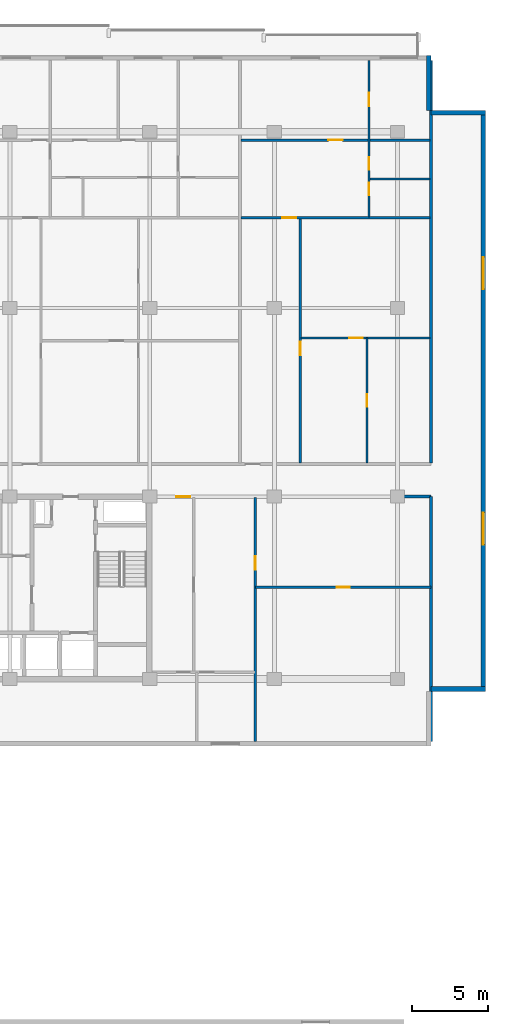
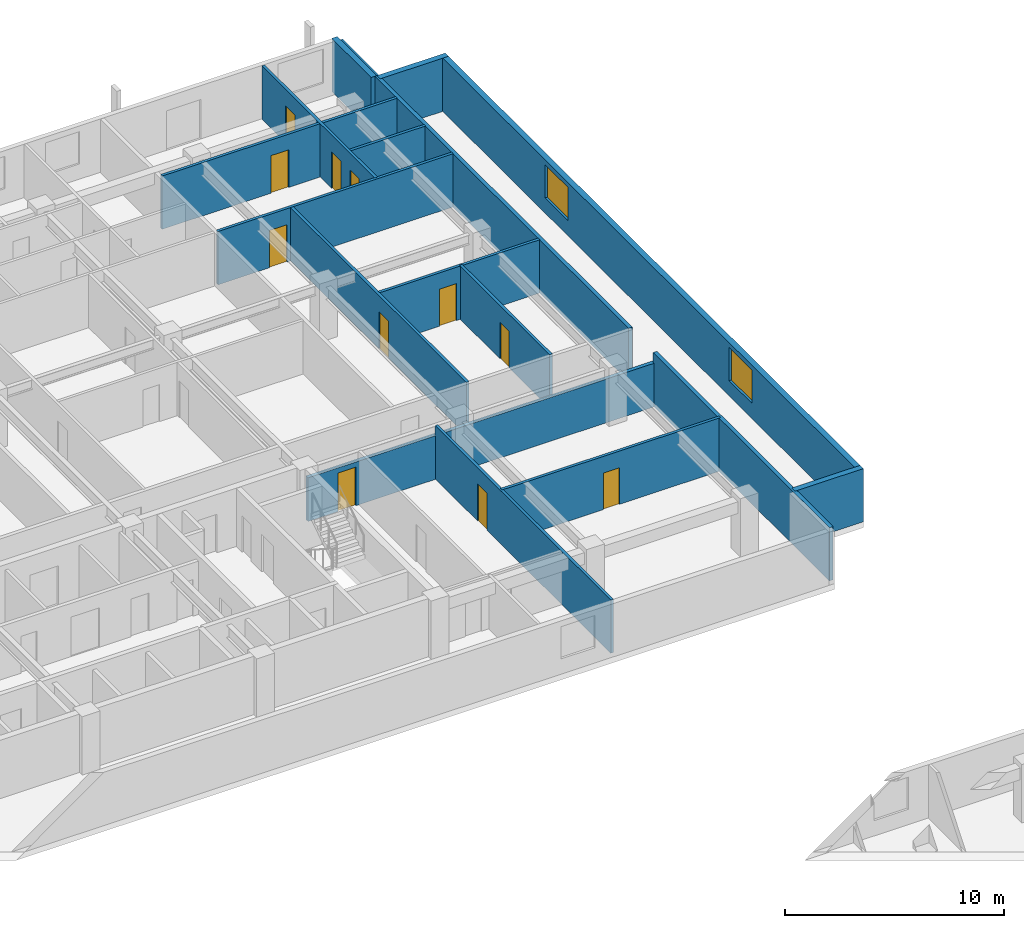
# One storey, part 16 of 22: 16 walls, 11 doors, 2 windows, 13 openings.
"""IFC4 building model written with IfcOpenShell, lengths in metres."""

from ifc_helpers import new_model, si_unit, direction, frame, frame_2d, origin, place, context, subcontext, project, spatial, rectangle, extrude, material, layer, layer_set, type_object, element, fill, save


model = new_model("IFC4")

# Units and contexts
model_context = context("Model", 3, precision=1e-05, world=origin(), true_north=direction((0.0, 1.0)))
body_context = subcontext(model_context, "Body", "Model", "MODEL_VIEW")
ifc_project = project(units=[si_unit("LENGTHUNIT", "METRE"), si_unit("AREAUNIT", "SQUARE_METRE"), si_unit("VOLUMEUNIT", "CUBIC_METRE"), si_unit("PLANEANGLEUNIT", "RADIAN"), si_unit("MASSUNIT", "GRAM", prefix="KILO")], contexts=[model_context])

# Site, building, storey
site_placement = place(None, origin())
site = spatial("IfcSite", under=ifc_project, at=site_placement, CompositionType="ELEMENT")
building_placement = place(site_placement, origin())
building = spatial("IfcBuilding", under=site, at=building_placement, Name="Korimba Cascade Residences", CompositionType="ELEMENT")
storey_placement = place(building_placement, frame((0.0, 0.0, 80.800048828125)))
storey = spatial("IfcBuildingStorey", under=building, at=storey_placement, Name="L22", CompositionType="ELEMENT", Elevation=80.800048828125)

# Wall
ifc_material_1 = material(Name="Precast concrete C40/50", Category="concrete")
ifc_layer_1 = layer(ifc_material_1, 0.300048828125)
ifc_layer_set_1 = layer_set([ifc_layer_1], Name="Precast concrete C40/50")
wall_type_1 = type_object("IfcWallType", Name="EW-STONE-300", PredefinedType="STANDARD", material=ifc_layer_set_1)
wall_1_placement = place(storey_placement, frame((130.60009765625, 54.550048828125, 0.0), z_axis=(0.0, 0.0, 1.0), x_axis=(1.0, 0.0, 0.0)))
element("IfcWall", 1, at=wall_1_placement, inside=storey, type_object=wall_type_1, Name="L22 T1 Perimeter Stone Wall E02", PredefinedType="STANDARD", context=body_context, shape_type="SweptSolid", body=[
    extrude(rectangle(XDim=3.599853515625, YDim=0.300048828125, at=frame_2d((1.7998046875, 0.0))), origin(), (0.0, 0.0, 1.0), 2.969970703125),
])

# Wall, openings, windows
wall_2_placement = place(storey_placement, frame((134.050048828125, 54.39990234375, 0.0), z_axis=(0.0, 0.0, 1.0), x_axis=(0.0, 1.0, 0.0)))
wall_2 = element("IfcWall", 2, at=wall_2_placement, inside=storey, type_object=wall_type_1, Name="L22 T1 Perimeter Stone Wall E03", PredefinedType="STANDARD", context=body_context, shape_type="SweptSolid", body=[
    extrude(rectangle(XDim=38.2001953125, YDim=0.300048828125, at=frame_2d((19.10009765625, 0.0))), origin(), (0.0, 0.0, 1.0), 2.969970703125),
])
opening_1_placement = place(wall_2_placement, frame((9.64599609375, 0.0, 0.85009765625)))
opening_1 = element("IfcOpeningElement", 3, at=opening_1_placement, cuts=wall_2, Name="Opening W-03", PredefinedType="OPENING", context=body_context, shape_type="SweptSolid", body=[
    extrude(rectangle(XDim=2.10009765625, YDim=1.85009765625, at=frame_2d((1.050048828125, 0.925048828125))), frame((0.0, 0.16015625, 0.0), z_axis=(0.0, -1.0, 0.0), x_axis=(1.0, 0.0, 0.0)), (0.0, 0.0, 1.0), 0.320068359375),
])
opening_2_placement = place(wall_2_placement, frame((26.4541015625, 0.0, 0.85009765625)))
opening_2 = element("IfcOpeningElement", 4, at=opening_2_placement, cuts=wall_2, Name="Opening W-03", PredefinedType="OPENING", context=body_context, shape_type="SweptSolid", body=[
    extrude(rectangle(XDim=2.10009765625, YDim=1.85009765625, at=frame_2d((1.050048828125, 0.925048828125))), frame((0.0, 0.16015625, 0.0), z_axis=(0.0, -1.0, 0.0), x_axis=(1.0, 0.0, 0.0)), (0.0, 0.0, 1.0), 0.320068359375),
])
ifc_material_2 = material(Name="Double-Glazed Aluminium Window", Category="aluminium")
window_type = type_object("IfcWindowType", Name="WIN-CRN-2100", PartitioningType="DOUBLE_PANEL_HORIZONTAL", PredefinedType="WINDOW", material=ifc_material_2)
window_1_placement = place(opening_1_placement, origin())
window_1 = element("IfcWindow", 5, at=window_1_placement, inside=storey, type_object=window_type, Name="L22 T1 End View Window 3.1", OverallHeight=1.85009765625, OverallWidth=2.10009765625, PartitioningType="DOUBLE_PANEL_HORIZONTAL", PredefinedType="WINDOW", context=body_context, shape_type="SweptSolid", body=[
    extrude(rectangle(XDim=2.10009765625, YDim=1.85009765625, at=frame_2d((1.050048828125, 0.925048828125))), frame((0.0, 0.030029296875, 0.0), z_axis=(0.0, -1.0, 0.0), x_axis=(1.0, 0.0, 0.0)), (0.0, 0.0, 1.0), 0.06005859375),
])
fill(opening_1, window_1)
window_2_placement = place(opening_2_placement, origin())
window_2 = element("IfcWindow", 6, at=window_2_placement, inside=storey, type_object=window_type, Name="L22 T1 End View Window 3.2", OverallHeight=1.85009765625, OverallWidth=2.10009765625, PartitioningType="DOUBLE_PANEL_HORIZONTAL", PredefinedType="WINDOW", context=body_context, shape_type="SweptSolid", body=[
    extrude(rectangle(XDim=2.10009765625, YDim=1.85009765625, at=frame_2d((1.050048828125, 0.925048828125))), frame((0.0, 0.030029296875, 0.0), z_axis=(0.0, -1.0, 0.0), x_axis=(1.0, 0.0, 0.0)), (0.0, 0.0, 1.0), 0.06005859375),
])
fill(opening_2, window_2)

# Walls
for number, where, z_axis, x_axis, name in (
    (7, (134.199951171875, 92.449951171875, 0.0), (0.0, 0.0, 1.0), (-1.0, 0.0, 0.0), "L22 T1 Perimeter Stone Wall E04"),
    (8, (130.449951171875, 92.60009765625, 0.0), (0.0, 0.0, 1.0), (0.0, 1.0, 0.0), "L22 T1 Perimeter Stone Wall E05"),
):
    element("IfcWall", number, at=place(storey_placement, frame(where, z_axis=z_axis, x_axis=x_axis)), inside=storey, type_object=wall_type_1, Name=name, PredefinedType="STANDARD", context=body_context, shape_type="SweptSolid", body=[
        extrude(rectangle(XDim=3.599853515625, YDim=0.300048828125, at=frame_2d((1.7998046875, 0.0))), origin(), (0.0, 0.0, 1.0), 2.969970703125),
    ])
ifc_layer_2 = layer(ifc_material_1, 0.199951171875)
ifc_layer_set_2 = layer_set([ifc_layer_2], Name="Precast concrete C40/50")
wall_type_2 = type_object("IfcWallType", Name="WAL-IT-200", PredefinedType="PARTITIONING", material=ifc_layer_set_2)
wall_3_placement = place(storey_placement, frame((130.60009765625, 51.10009765625, 0.0), z_axis=(0.0, 0.0, 1.0), x_axis=(0.0, 1.0, 0.0)))
element("IfcWall", 9, at=wall_3_placement, inside=storey, type_object=wall_type_2, Name="L22 Partition Wall WAL-L22-T1-FE-WR", PredefinedType="PARTITIONING", context=body_context, shape_type="SweptSolid", body=[
    extrude(rectangle(XDim=16.099853515625, YDim=0.199951171875, at=frame_2d((8.0498046875, 0.0))), origin(), (0.0, 0.0, 1.0), 2.969970703125),
])

# Wall, opening, door
wall_4_placement = place(storey_placement, frame((112.25, 67.199951171875, 0.0), z_axis=(0.0, 0.0, 1.0), x_axis=(1.0, 0.0, 0.0)))
wall_4 = element("IfcWall", 10, at=wall_4_placement, inside=storey, type_object=wall_type_2, Name="L22 Partition Wall WAL-L22-T1-FE-N", PredefinedType="PARTITIONING", context=body_context, shape_type="SweptSolid", body=[
    extrude(rectangle(XDim=18.35009765625, YDim=0.199951171875, at=frame_2d((9.175048828125, 0.0))), origin(), (0.0, 0.0, 1.0), 2.433349609375),
])
opening_3_placement = place(wall_4_placement, frame((1.580078125, 0.0, 0.0)))
opening_3 = element("IfcOpeningElement", 11, at=opening_3_placement, cuts=wall_4, Name="Opening D-UN1", PredefinedType="OPENING", context=body_context, shape_type="SweptSolid", body=[
    extrude(rectangle(XDim=0.949951171875, YDim=2.14990234375, at=frame_2d((0.47509765625, 1.074951171875))), frame((0.0, 0.10986328125, 0.0), z_axis=(0.0, -1.0, 0.0), x_axis=(1.0, 0.0, 0.0)), (0.0, 0.0, 1.0), 0.219970703125),
])
ifc_material_3 = material(Name="Fire-Rated Hardwood Apartment Entrance Door", Category="wood")
door_type_1 = type_object("IfcDoorType", Name="DR-FD60-950", OperationType="NOTDEFINED", PredefinedType="DOOR", material=ifc_material_3)
door_1_placement = place(opening_3_placement, origin())
door_1 = element("IfcDoor", 12, at=door_1_placement, inside=storey, type_object=door_type_1, Name="L22-T1-FE Entrance Door", OperationType="SINGLE_SWING_RIGHT", OverallHeight=2.14990234375, OverallWidth=0.949951171875, PredefinedType="DOOR", context=body_context, shape_type="SweptSolid", body=[
    extrude(rectangle(XDim=0.949951171875, YDim=2.14990234375, at=frame_2d((0.47509765625, 1.074951171875))), frame((0.0, 0.02490234375, 0.0), z_axis=(0.0, -1.0, 0.0), x_axis=(1.0, 0.0, 0.0)), (0.0, 0.0, 1.0), 0.050048828125),
])
fill(opening_3, door_1)

# Wall
wall_5_placement = place(storey_placement, frame((130.60009765625, 69.429931640625, 0.0), z_axis=(0.0, 0.0, 1.0), x_axis=(0.0, 1.0, 0.0)))
element("IfcWall", 13, at=wall_5_placement, inside=storey, type_object=wall_type_2, Name="L22 Partition Wall WAL-L22-T1-BNDWR", PredefinedType="PARTITIONING", context=body_context, shape_type="SweptSolid", body=[
    extrude(rectangle(XDim=26.469970703125, YDim=0.199951171875, at=frame_2d((13.23486328125, 0.0))), origin(), (0.0, 0.0, 1.0), 2.969970703125),
])

# Wall, opening, door
ifc_material_4 = material(Name="Insulated Acoustic Stud Partition", Category="gypsum")
ifc_layer_3 = layer(ifc_material_4, 0.14990234375)
ifc_layer_set_3 = layer_set([ifc_layer_3], Name="Insulated Acoustic Stud Partition")
wall_type_3 = type_object("IfcWallType", Name="WAL-PART-150", PredefinedType="PARTITIONING", material=ifc_layer_set_3)
wall_6_placement = place(storey_placement, frame((119.050048828125, 61.25, 0.0), z_axis=(0.0, 0.0, 1.0), x_axis=(1.0, 0.0, 0.0)))
wall_6 = element("IfcWall", 14, at=wall_6_placement, inside=storey, type_object=wall_type_3, Name="L22 Partition Wall WAL-L22-T1-FE-STH", PredefinedType="PARTITIONING", context=body_context, shape_type="SweptSolid", body=[
    extrude(rectangle(XDim=11.550048828125, YDim=0.14990234375, at=frame_2d((5.77490234375, 0.0))), origin(), (0.0, 0.0, 1.0), 2.969970703125),
])
opening_4_placement = place(wall_6_placement, frame((5.35498046875, 0.0, 0.0)))
opening_4 = element("IfcOpeningElement", 15, at=opening_4_placement, cuts=wall_6, Name="Opening D-BT1", PredefinedType="OPENING", context=body_context, shape_type="SweptSolid", body=[
    extrude(rectangle(XDim=0.840087890625, YDim=2.0400390625, at=frame_2d((0.419921875, 1.02001953125))), frame((0.0, 0.0849609375, 0.0), z_axis=(0.0, -1.0, 0.0), x_axis=(1.0, 0.0, 0.0)), (0.0, 0.0, 1.0), 0.169921875),
])
ifc_material_5 = material(Name="Moisture-Resistant Bathroom Timber Door", Category="wood")
door_type_2 = type_object("IfcDoorType", Name="DR-INT-850", OperationType="NOTDEFINED", PredefinedType="DOOR", material=ifc_material_5)
door_2_placement = place(opening_4_placement, origin())
door_2 = element("IfcDoor", 16, at=door_2_placement, inside=storey, type_object=door_type_2, Name="L22-T1-FE Dressing Store Door", OperationType="SINGLE_SWING_LEFT", OverallHeight=2.0400390625, OverallWidth=0.840087890625, PredefinedType="DOOR", context=body_context, shape_type="SweptSolid", body=[
    extrude(rectangle(XDim=0.840087890625, YDim=2.0400390625, at=frame_2d((0.419921875, 1.02001953125))), frame((0.0, 0.02490234375, 0.0), z_axis=(0.0, -1.0, 0.0), x_axis=(1.0, 0.0, 0.0)), (0.0, 0.0, 1.0), 0.050048828125),
])
fill(opening_4, door_2)

wall_7_placement = place(storey_placement, frame((119.050048828125, 51.10009765625, 0.0), z_axis=(0.0, 0.0, 1.0), x_axis=(0.0, 1.0, 0.0)))
wall_7 = element("IfcWall", 17, at=wall_7_placement, inside=storey, type_object=wall_type_3, Name="L22 Partition Wall WAL-L22-T1-FE-STV", PredefinedType="PARTITIONING", context=body_context, shape_type="SweptSolid", body=[
    extrude(rectangle(XDim=16.0498046875, YDim=0.14990234375, at=frame_2d((8.02490234375, 0.0))), origin(), (0.0, 0.0, 1.0), 2.969970703125),
])
opening_5_placement = place(wall_7_placement, frame((11.300048828125, 0.0, 0.0)))
opening_5 = element("IfcOpeningElement", 18, at=opening_5_placement, cuts=wall_7, Name="Opening D-IN2", PredefinedType="OPENING", context=body_context, shape_type="SweptSolid", body=[
    extrude(rectangle(XDim=0.8798828125, YDim=2.06005859375, at=frame_2d((0.43994140625, 1.030029296875))), frame((0.0, 0.0849609375, 0.0), z_axis=(0.0, -1.0, 0.0), x_axis=(1.0, 0.0, 0.0)), (0.0, 0.0, 1.0), 0.169921875),
])
ifc_material_6 = material(Name="Acoustic Timber Bedroom Door", Category="wood")
door_type_3 = type_object("IfcDoorType", Name="DR-INT-880", OperationType="NOTDEFINED", PredefinedType="DOOR", material=ifc_material_6)
door_3_placement = place(opening_5_placement, origin())
door_3 = element("IfcDoor", 19, at=door_3_placement, inside=storey, type_object=door_type_3, Name="L22-T1-FE Study Door", OperationType="SINGLE_SWING_RIGHT", OverallHeight=2.06005859375, OverallWidth=0.8798828125, PredefinedType="DOOR", context=body_context, shape_type="SweptSolid", body=[
    extrude(rectangle(XDim=0.8798828125, YDim=2.06005859375, at=frame_2d((0.43994140625, 1.030029296875))), frame((0.0, 0.02490234375, 0.0), z_axis=(0.0, -1.0, 0.0), x_axis=(1.0, 0.0, 0.0)), (0.0, 0.0, 1.0), 0.050048828125),
])
fill(opening_5, door_3)

wall_8_placement = place(storey_placement, frame((126.3916015625, 69.409912109375, 0.0), z_axis=(0.0, 0.0, 1.0), x_axis=(0.0, 1.0, 0.0)))
wall_8 = element("IfcWall", 20, at=wall_8_placement, inside=storey, type_object=wall_type_3, Name="L22 Partition Wall WAL-L22-T1-U05-FMV", PredefinedType="PARTITIONING", context=body_context, shape_type="SweptSolid", body=[
    extrude(rectangle(XDim=8.22998046875, YDim=0.14990234375, at=frame_2d((4.114990234375, 0.0))), origin(), (0.0, 0.0, 1.0), 2.969970703125),
])
opening_6_placement = place(wall_8_placement, frame((3.695068359375, 0.0, 0.0)))
opening_6 = element("IfcOpeningElement", 21, at=opening_6_placement, cuts=wall_8, Name="Opening D-BT1", PredefinedType="OPENING", context=body_context, shape_type="SweptSolid", body=[
    extrude(rectangle(XDim=0.840087890625, YDim=2.0400390625, at=frame_2d((0.419921875, 1.02001953125))), frame((0.0, 0.0849609375, 0.0), z_axis=(0.0, -1.0, 0.0), x_axis=(1.0, 0.0, 0.0)), (0.0, 0.0, 1.0), 0.169921875),
])
door_4_placement = place(opening_6_placement, origin())
door_4 = element("IfcDoor", 22, at=door_4_placement, inside=storey, type_object=door_type_2, Name="L22-T1-U05 Wardrobe Door", OperationType="SINGLE_SWING_LEFT", OverallHeight=2.0400390625, OverallWidth=0.840087890625, PredefinedType="DOOR", context=body_context, shape_type="SweptSolid", body=[
    extrude(rectangle(XDim=0.840087890625, YDim=2.0400390625, at=frame_2d((0.419921875, 1.02001953125))), frame((0.0, 0.02490234375, 0.0), z_axis=(0.0, -1.0, 0.0), x_axis=(1.0, 0.0, 0.0)), (0.0, 0.0, 1.0), 0.050048828125),
])
fill(opening_6, door_4)

wall_9_placement = place(storey_placement, frame((122.0634765625, 77.639892578125, 0.0), z_axis=(0.0, 0.0, 1.0), x_axis=(1.0, 0.0, 0.0)))
wall_9 = element("IfcWall", 23, at=wall_9_placement, inside=storey, type_object=wall_type_3, Name="L22 Partition Wall WAL-L22-T1-U05-FMH", PredefinedType="PARTITIONING", context=body_context, shape_type="SweptSolid", body=[
    extrude(rectangle(XDim=8.45654296875, YDim=0.14990234375, at=frame_2d((4.228271484375, 0.0))), origin(), (0.0, 0.0, 1.0), 2.969970703125),
])
opening_7_placement = place(wall_9_placement, frame((3.170654296875, 0.0, 0.0)))
opening_7 = element("IfcOpeningElement", 24, at=opening_7_placement, cuts=wall_9, Name="Opening D-IN2", PredefinedType="OPENING", context=body_context, shape_type="SweptSolid", body=[
    extrude(rectangle(XDim=0.8798828125, YDim=2.06005859375, at=frame_2d((0.43994140625, 1.030029296875))), frame((0.0, 0.0849609375, 0.0), z_axis=(0.0, -1.0, 0.0), x_axis=(1.0, 0.0, 0.0)), (0.0, 0.0, 1.0), 0.169921875),
])
door_5_placement = place(opening_7_placement, origin())
door_5 = element("IfcDoor", 25, at=door_5_placement, inside=storey, type_object=door_type_3, Name="L22-T1-U05 Library Salon Door", OperationType="SINGLE_SWING_RIGHT", OverallHeight=2.06005859375, OverallWidth=0.8798828125, PredefinedType="DOOR", context=body_context, shape_type="SweptSolid", body=[
    extrude(rectangle(XDim=0.8798828125, YDim=2.06005859375, at=frame_2d((0.43994140625, 1.030029296875))), frame((0.0, 0.02490234375, 0.0), z_axis=(0.0, -1.0, 0.0), x_axis=(1.0, 0.0, 0.0)), (0.0, 0.0, 1.0), 0.050048828125),
])
fill(opening_7, door_5)

wall_10_placement = place(storey_placement, frame((122.00341796875, 69.409912109375, 0.0), z_axis=(0.0, 0.0, 1.0), x_axis=(0.0, 1.0, 0.0)))
wall_10 = element("IfcWall", 26, at=wall_10_placement, inside=storey, type_object=wall_type_3, Name="L22 Partition Wall WAL-L22-T1-U05-FV", PredefinedType="PARTITIONING", context=body_context, shape_type="SweptSolid", body=[
    extrude(rectangle(XDim=16.10009765625, YDim=0.14990234375, at=frame_2d((8.050048828125, 0.0))), origin(), (0.0, 0.0, 1.0), 2.969970703125),
])
opening_8_placement = place(wall_10_placement, frame((7.10009765625, 0.0, 0.0)))
opening_8 = element("IfcOpeningElement", 27, at=opening_8_placement, cuts=wall_10, Name="Opening D-IN2", PredefinedType="OPENING", context=body_context, shape_type="SweptSolid", body=[
    extrude(rectangle(XDim=0.8798828125, YDim=2.06005859375, at=frame_2d((0.43994140625, 1.030029296875))), frame((0.0, 0.0849609375, 0.0), z_axis=(0.0, -1.0, 0.0), x_axis=(1.0, 0.0, 0.0)), (0.0, 0.0, 1.0), 0.169921875),
])
door_6_placement = place(opening_8_placement, origin())
door_6 = element("IfcDoor", 28, at=door_6_placement, inside=storey, type_object=door_type_3, Name="L22-T1-U05 Media Lounge Door", OperationType="SINGLE_SWING_LEFT", OverallHeight=2.06005859375, OverallWidth=0.8798828125, PredefinedType="DOOR", context=body_context, shape_type="SweptSolid", body=[
    extrude(rectangle(XDim=0.8798828125, YDim=2.06005859375, at=frame_2d((0.43994140625, 1.030029296875))), frame((0.0, 0.02490234375, 0.0), z_axis=(0.0, -1.0, 0.0), x_axis=(1.0, 0.0, 0.0)), (0.0, 0.0, 1.0), 0.050048828125),
])
fill(opening_8, door_6)

# Wall
wall_11_placement = place(storey_placement, frame((126.580078125, 88.090087890625, 0.0), z_axis=(0.0, 0.0, 1.0), x_axis=(1.0, 0.0, 0.0)))
element("IfcWall", 29, at=wall_11_placement, inside=storey, type_object=wall_type_3, Name="L22 Partition Wall WAL-L22-T1-U05-BLDIV", PredefinedType="PARTITIONING", context=body_context, shape_type="SweptSolid", body=[
    extrude(rectangle(XDim=3.93994140625, YDim=0.14990234375, at=frame_2d((1.969970703125, 0.0))), origin(), (0.0, 0.0, 1.0), 2.969970703125),
])

# Wall, openings, doors
wall_12_placement = place(storey_placement, frame((126.52001953125, 85.590087890625, 0.0), z_axis=(0.0, 0.0, 1.0), x_axis=(0.0, 1.0, 0.0)))
wall_12 = element("IfcWall", 30, at=wall_12_placement, inside=storey, type_object=wall_type_3, Name="L22 Partition Wall WAL-L22-T1-U05-V1", PredefinedType="PARTITIONING", context=body_context, shape_type="SweptSolid", body=[
    extrude(rectangle(XDim=10.309814453125, YDim=0.14990234375, at=frame_2d((5.15478515625, 0.0))), origin(), (0.0, 0.0, 1.0), 2.969970703125),
])
opening_9_placement = place(wall_12_placement, frame((1.430419921875, 0.0, 0.0)))
opening_9 = element("IfcOpeningElement", 31, at=opening_9_placement, cuts=wall_12, Name="Opening D-BT1", PredefinedType="OPENING", context=body_context, shape_type="SweptSolid", body=[
    extrude(rectangle(XDim=0.840087890625, YDim=2.0400390625, at=frame_2d((0.419921875, 1.02001953125))), frame((0.0, 0.0849609375, 0.0), z_axis=(0.0, -1.0, 0.0), x_axis=(1.0, 0.0, 0.0)), (0.0, 0.0, 1.0), 0.169921875),
])
opening_10_placement = place(wall_12_placement, frame((3.1015625, 0.0, 0.0)))
opening_10 = element("IfcOpeningElement", 32, at=opening_10_placement, cuts=wall_12, Name="Opening D-BT1", PredefinedType="OPENING", context=body_context, shape_type="SweptSolid", body=[
    extrude(rectangle(XDim=0.840087890625, YDim=2.0400390625, at=frame_2d((0.419921875, 1.02001953125))), frame((0.0, 0.0849609375, 0.0), z_axis=(0.0, -1.0, 0.0), x_axis=(1.0, 0.0, 0.0)), (0.0, 0.0, 1.0), 0.169921875),
])
opening_11_placement = place(wall_12_placement, frame((7.28955078125, 0.0, 0.0)))
opening_11 = element("IfcOpeningElement", 33, at=opening_11_placement, cuts=wall_12, Name="Opening D-IN2", PredefinedType="OPENING", context=body_context, shape_type="SweptSolid", body=[
    extrude(rectangle(XDim=0.8798828125, YDim=2.06005859375, at=frame_2d((0.43994140625, 1.030029296875))), frame((0.0, 0.0849609375, 0.0), z_axis=(0.0, -1.0, 0.0), x_axis=(1.0, 0.0, 0.0)), (0.0, 0.0, 1.0), 0.169921875),
])
door_7_placement = place(opening_9_placement, origin())
door_7 = element("IfcDoor", 34, at=door_7_placement, inside=storey, type_object=door_type_2, Name="L22-T1-U05 Bathroom Door", OperationType="SINGLE_SWING_RIGHT", OverallHeight=2.0400390625, OverallWidth=0.840087890625, PredefinedType="DOOR", context=body_context, shape_type="SweptSolid", body=[
    extrude(rectangle(XDim=0.840087890625, YDim=2.0400390625, at=frame_2d((0.419921875, 1.02001953125))), frame((0.0, 0.02490234375, 0.0), z_axis=(0.0, -1.0, 0.0), x_axis=(1.0, 0.0, 0.0)), (0.0, 0.0, 1.0), 0.050048828125),
])
fill(opening_9, door_7)
door_8_placement = place(opening_10_placement, origin())
door_8 = element("IfcDoor", 35, at=door_8_placement, inside=storey, type_object=door_type_2, Name="L22-T1-U05 Laundry Door", OperationType="SINGLE_SWING_LEFT", OverallHeight=2.0400390625, OverallWidth=0.840087890625, PredefinedType="DOOR", context=body_context, shape_type="SweptSolid", body=[
    extrude(rectangle(XDim=0.840087890625, YDim=2.0400390625, at=frame_2d((0.419921875, 1.02001953125))), frame((0.0, 0.02490234375, 0.0), z_axis=(0.0, -1.0, 0.0), x_axis=(1.0, 0.0, 0.0)), (0.0, 0.0, 1.0), 0.050048828125),
])
fill(opening_10, door_8)
door_9_placement = place(opening_11_placement, origin())
door_9 = element("IfcDoor", 36, at=door_9_placement, inside=storey, type_object=door_type_3, Name="L22-T1-U05 Bedroom 1 Door", OperationType="SINGLE_SWING_RIGHT", OverallHeight=2.06005859375, OverallWidth=0.8798828125, PredefinedType="DOOR", context=body_context, shape_type="SweptSolid", body=[
    extrude(rectangle(XDim=0.8798828125, YDim=2.06005859375, at=frame_2d((0.43994140625, 1.030029296875))), frame((0.0, 0.02490234375, 0.0), z_axis=(0.0, -1.0, 0.0), x_axis=(1.0, 0.0, 0.0)), (0.0, 0.0, 1.0), 0.050048828125),
])
fill(opening_11, door_9)

# Wall, opening, door
wall_13_placement = place(storey_placement, frame((118.11328125, 85.550048828125, 0.0), z_axis=(0.0, 0.0, 1.0), x_axis=(1.0, 0.0, 0.0)))
wall_13 = element("IfcWall", 37, at=wall_13_placement, inside=storey, type_object=wall_type_3, Name="L22 Partition Wall WAL-L22-T1-U05-MW", PredefinedType="PARTITIONING", context=body_context, shape_type="SweptSolid", body=[
    extrude(rectangle(XDim=12.40673828125, YDim=0.14990234375, at=frame_2d((6.203369140625, 0.0))), origin(), (0.0, 0.0, 1.0), 2.969970703125),
])
opening_12_placement = place(wall_13_placement, frame((2.719970703125, 0.0, 0.0)))
opening_12 = element("IfcOpeningElement", 38, at=opening_12_placement, cuts=wall_13, Name="Opening D-IN1", PredefinedType="OPENING", context=body_context, shape_type="SweptSolid", body=[
    extrude(rectangle(XDim=0.919921875, YDim=2.080078125, at=frame_2d((0.4599609375, 1.0400390625))), frame((0.0, 0.0849609375, 0.0), z_axis=(0.0, -1.0, 0.0), x_axis=(1.0, 0.0, 0.0)), (0.0, 0.0, 1.0), 0.169921875),
])
ifc_material_7 = material(Name="Acoustic Timber Living Door", Category="wood")
door_type_4 = type_object("IfcDoorType", Name="DR-INT-920", OperationType="NOTDEFINED", PredefinedType="DOOR", material=ifc_material_7)
door_10_placement = place(opening_12_placement, origin())
door_10 = element("IfcDoor", 39, at=door_10_placement, inside=storey, type_object=door_type_4, Name="L22-T1-U05 Kitchen Archway Door", OperationType="SINGLE_SWING_LEFT", OverallHeight=2.080078125, OverallWidth=0.919921875, PredefinedType="DOOR", context=body_context, shape_type="SweptSolid", body=[
    extrude(rectangle(XDim=0.919921875, YDim=2.080078125, at=frame_2d((0.4599609375, 1.0400390625))), frame((0.0, 0.02490234375, 0.0), z_axis=(0.0, -1.0, 0.0), x_axis=(1.0, 0.0, 0.0)), (0.0, 0.0, 1.0), 0.050048828125),
])
fill(opening_12, door_10)

wall_14_placement = place(storey_placement, frame((118.11328125, 90.64990234375, 0.0), z_axis=(0.0, 0.0, 1.0), x_axis=(1.0, 0.0, 0.0)))
wall_14 = element("IfcWall", 40, at=wall_14_placement, inside=storey, type_object=wall_type_3, Name="L22 Partition Wall WAL-L22-T1-U05-HZ", PredefinedType="PARTITIONING", context=body_context, shape_type="SweptSolid", body=[
    extrude(rectangle(XDim=12.40673828125, YDim=0.14990234375, at=frame_2d((6.203369140625, 0.0))), origin(), (0.0, 0.0, 1.0), 2.969970703125),
])
opening_13_placement = place(wall_14_placement, frame((5.7333984375, 0.0, 0.0)))
opening_13 = element("IfcOpeningElement", 41, at=opening_13_placement, cuts=wall_14, Name="Opening D-IN0", PredefinedType="OPENING", context=body_context, shape_type="SweptSolid", body=[
    extrude(rectangle(XDim=0.93994140625, YDim=2.10009765625, at=frame_2d((0.469970703125, 1.050048828125))), frame((0.0, 0.0849609375, 0.0), z_axis=(0.0, -1.0, 0.0), x_axis=(1.0, 0.0, 0.0)), (0.0, 0.0, 1.0), 0.169921875),
])
ifc_material_8 = material(Name="Acoustic Timber Living Archway Door", Category="wood")
door_type_5 = type_object("IfcDoorType", Name="DR-INT-950", OperationType="NOTDEFINED", PredefinedType="DOOR", material=ifc_material_8)
door_11_placement = place(opening_13_placement, origin())
door_11 = element("IfcDoor", 42, at=door_11_placement, inside=storey, type_object=door_type_5, Name="L22-T1-U05 Living Archway Door", OperationType="SINGLE_SWING_RIGHT", OverallHeight=2.10009765625, OverallWidth=0.93994140625, PredefinedType="DOOR", context=body_context, shape_type="SweptSolid", body=[
    extrude(rectangle(XDim=0.93994140625, YDim=2.10009765625, at=frame_2d((0.469970703125, 1.050048828125))), frame((0.0, 0.02490234375, 0.0), z_axis=(0.0, -1.0, 0.0), x_axis=(1.0, 0.0, 0.0)), (0.0, 0.0, 1.0), 0.050048828125),
])
fill(opening_13, door_11)

save(model, "model.ifc")
